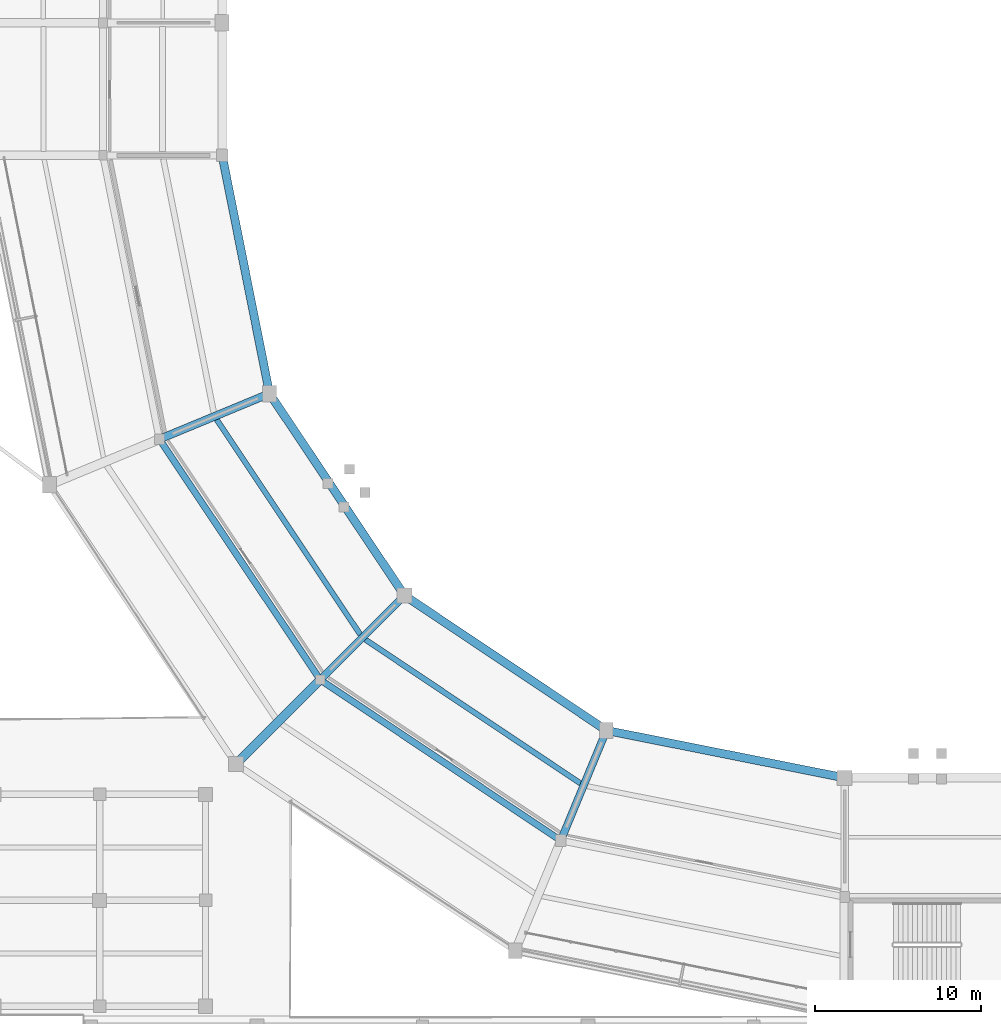
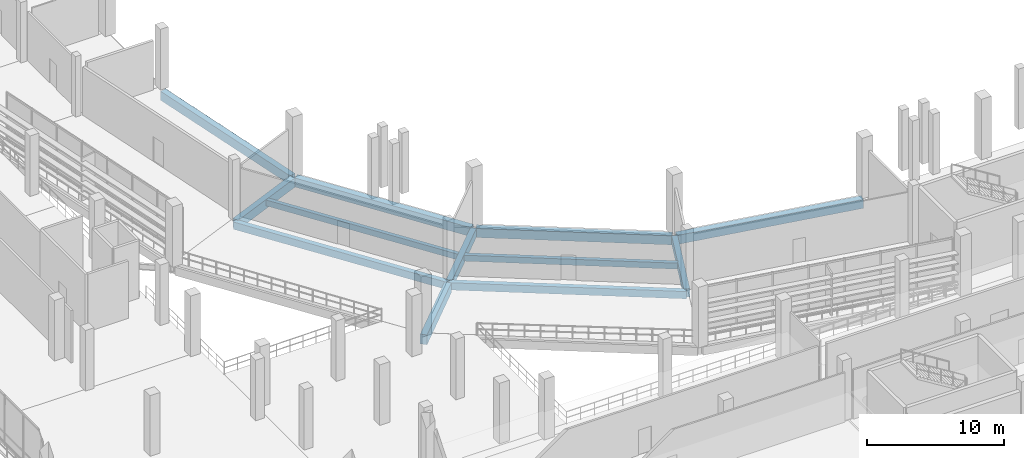
# One storey, part 20 of 114: 12 beams.
"""IFC4 building model written with IfcOpenShell, lengths in metres."""

import ifcopenshell
import ifcopenshell.guid

model = None  # the IFC model being written
_history = None  # IfcOwnerHistory: only IFC2X3 demands one
_inside = {}  # id of a spatial element -> (the spatial element, [elements in it])
_under = {}  # id of a project, library or spatial element -> (it, [spatial elements below it])
_declared = {}  # id of a project -> (the project, [libraries it declares])
_typed = {}  # id of a type object -> (the type object, [elements of that type])
_made_of = {}  # id of a material, layer set ... -> (it, [elements and type objects made of it])


def new_model(schema):
    """Start an empty IFC model of exactly this schema.

    Asked for "IFC4X3", IfcOpenShell would pick the latest addendum, in which some entities
    have other attributes; the version numbers below select the first issue.
    IFC2X3 requires an IfcOwnerHistory on every rooted entity: one is made here for all.
    """
    global model, _history
    if schema == "IFC4X3":
        model = ifcopenshell.file(schema_version=(4, 3, 0, 0))
    else:
        model = ifcopenshell.file(schema=schema)
    _inside.clear()
    _under.clear()
    _declared.clear()
    _typed.clear()
    _made_of.clear()
    _history = None
    if model.schema == "IFC2X3":
        org = make("IfcOrganization", Name="unknown")
        user = make(
            "IfcPersonAndOrganization",
            ThePerson=make("IfcPerson", FamilyName="unknown"),
            TheOrganization=org,
        )
        app = make(
            "IfcApplication",
            ApplicationDeveloper=org,
            Version="unknown",
            ApplicationFullName="unknown",
            ApplicationIdentifier="unknown",
        )
        _history = make(
            "IfcOwnerHistory",
            OwningUser=user,
            OwningApplication=app,
            ChangeAction="ADDED",
            CreationDate=0,
        )
    return model


def make(cls, **values):
    """One entity of the class cls with the attributes given. An attribute that is None is left unset."""
    return model.create_entity(
        cls, **{name: value for name, value in values.items() if value is not None}
    )


def rooted(cls, **values):
    """An entity with a GlobalId (a new one), such as an element, a storey or a relation."""
    return make(cls, GlobalId=ifcopenshell.guid.new(), OwnerHistory=_history, **values)


def si_unit(unit_type, name, prefix=None):
    """IfcSIUnit, for example si_unit("LENGTHUNIT", "METRE", prefix="MILLI")."""
    return make("IfcSIUnit", UnitType=unit_type, Prefix=prefix, Name=name)


def assignment(units):
    """IfcUnitAssignment: the units of a project."""
    return None if units is None else make("IfcUnitAssignment", Units=units)


def point(xyz):
    """IfcCartesianPoint."""
    return None if xyz is None else make("IfcCartesianPoint", Coordinates=xyz)


def direction(xyz):
    """IfcDirection."""
    return None if xyz is None else make("IfcDirection", DirectionRatios=xyz)


def frame(location, z_axis=None, x_axis=None):
    """IfcAxis2Placement3D, a coordinate frame: its origin and axes. An axis left out is left unset."""
    return make(
        "IfcAxis2Placement3D",
        Location=point(location),
        Axis=direction(z_axis),
        RefDirection=direction(x_axis),
    )


def frame_2d(location, x_axis=None):
    """IfcAxis2Placement2D, a coordinate frame in the plane: its origin and x axis."""
    return make(
        "IfcAxis2Placement2D", Location=point(location), RefDirection=direction(x_axis)
    )


def origin():
    """The frame at (0, 0, 0) with its axes left unset."""
    return frame((0.0, 0.0, 0.0))


def origin_2d():
    """The frame at (0, 0) in the plane with its x axis left unset."""
    return frame_2d((0.0, 0.0))


def place(relative_to, where):
    """IfcLocalPlacement: puts the frame where relative to a parent placement (None: the world)."""
    return make(
        "IfcLocalPlacement", PlacementRelTo=relative_to, RelativePlacement=where
    )


def context(
    kind, dimensions, precision=None, world=None, true_north=None, identifier=None
):
    """IfcGeometricRepresentationContext, for example the 3D "Model" context."""
    return make(
        "IfcGeometricRepresentationContext",
        ContextIdentifier=identifier,
        ContextType=kind,
        CoordinateSpaceDimension=dimensions,
        Precision=precision,
        WorldCoordinateSystem=world,
        TrueNorth=true_north,
    )


def subcontext(parent, identifier, kind, view, scale=None):
    """IfcGeometricRepresentationSubContext, for example "Body" below "Model"."""
    return make(
        "IfcGeometricRepresentationSubContext",
        ContextIdentifier=identifier,
        ContextType=kind,
        ParentContext=parent,
        TargetScale=scale,
        TargetView=view,
    )


def project(units=None, contexts=None):
    """IfcProject with its units and contexts."""
    return rooted(
        "IfcProject",
        Name="project",
        RepresentationContexts=contexts,
        UnitsInContext=assignment(units),
    )


def spatial(cls, under=None, at=None, **own):
    """A site, building, storey or space (cls), placed at a placement, below another one or the project."""
    s = rooted(cls, ObjectPlacement=at, **own)
    if under is not None:
        _under.setdefault(under.id(), (under, []))[1].append(s)
    return s


def profile(cls, at=None, kind="AREA", **sizes):
    """A parametric profile (cls). Its sizes go by their IFC names, for example OverallWidth=200.0."""
    return make(cls, ProfileType=kind, Position=at, **sizes)


def rectangle(**sizes):
    """IfcRectangleProfileDef."""
    return profile("IfcRectangleProfileDef", **sizes)


def extrude(swept, where, along, depth):
    """IfcExtrudedAreaSolid: the profile swept, set in the frame where, extruded along a direction by depth."""
    return make(
        "IfcExtrudedAreaSolid",
        SweptArea=swept,
        Position=where,
        ExtrudedDirection=direction(along),
        Depth=depth,
    )


def shape(context_of_items, identifier, shape_type, items):
    """IfcShapeRepresentation: the items that make up one representation, for example the "Body"."""
    return make(
        "IfcShapeRepresentation",
        ContextOfItems=context_of_items,
        RepresentationIdentifier=identifier,
        RepresentationType=shape_type,
        Items=items,
    )


def material(Name=None, Category=None):
    """IfcMaterial."""
    return make("IfcMaterial", Name=Name, Category=Category)


def material_profile(
    of_material, cross_section, Name=None, Category=None, Priority=None
):
    """IfcMaterialProfile: a cross section and its material."""
    return make(
        "IfcMaterialProfile",
        Name=Name,
        Material=of_material,
        Profile=cross_section,
        Priority=Priority,
        Category=Category,
    )


def profile_set(profiles, Name=None, composite=None):
    """IfcMaterialProfileSet."""
    return make(
        "IfcMaterialProfileSet",
        Name=Name,
        MaterialProfiles=profiles,
        CompositeProfile=composite,
    )


def made_of(thing, what):
    """Note that an element or type object is made of a material, layer set ...; save() writes the relation."""
    if what is not None:
        _made_of.setdefault(what.id(), (what, []))[1].append(thing)
    return thing


def type_object(cls, material=None, **own):
    """A type object (cls), such as IfcWallType, which elements share."""
    return made_of(rooted(cls, **own), material)


def element(
    cls,
    number,
    at=None,
    inside=None,
    cuts=None,
    type_object=None,
    material=None,
    context=None,
    identifier="Body",
    shape_type=None,
    held_by="IfcProductDefinitionShape",
    body=None,
    shapes=None,
    **own,
):
    """One element of the class cls, such as IfcWall. Its Tag is "e" and its number.

    at: its placement. inside: the storey or other place that contains it. cuts: it is an
    opening in that element (IfcRelVoidsElement). A single representation is given by context,
    identifier, shape_type and body (its items); several are given by shapes. held_by: the class
    of the entity that holds the representations. save() writes the other relations.
    """
    e = rooted(cls, Tag="e%d" % number, ObjectPlacement=at, **own)
    if body is not None:
        shapes = [shape(context, identifier, shape_type, body)]
    if shapes is not None:
        e.Representation = make(held_by, Representations=shapes)
    if inside is not None:
        _inside.setdefault(inside.id(), (inside, []))[1].append(e)
    if cuts is not None:
        rooted(
            "IfcRelVoidsElement", RelatingBuildingElement=cuts, RelatedOpeningElement=e
        )
    if type_object is not None:
        _typed.setdefault(type_object.id(), (type_object, []))[1].append(e)
    return made_of(e, material)


def aggregate(whole, parts):
    """IfcRelAggregates: a whole, such as a stair, and the parts it consists of."""
    return rooted("IfcRelAggregates", RelatingObject=whole, RelatedObjects=parts)


def save(model, path):
    """Write the relations noted so far, then the file.

    IfcRelAggregates (storeys below a building ...), IfcRelContainedInSpatialStructure (elements
    in a storey), IfcRelDefinesByType, IfcRelAssociatesMaterial and IfcRelDeclares: one each for
    every whole, place, type object, material and project.
    """
    for whole, parts in _under.values():
        aggregate(whole, parts)
    for where, things in _inside.values():
        rooted(
            "IfcRelContainedInSpatialStructure",
            RelatedElements=things,
            RelatingStructure=where,
        )
    for kind, things in _typed.values():
        rooted("IfcRelDefinesByType", RelatedObjects=things, RelatingType=kind)
    for what, things in _made_of.values():
        rooted("IfcRelAssociatesMaterial", RelatedObjects=things, RelatingMaterial=what)
    for by, libraries in _declared.values():
        rooted("IfcRelDeclares", RelatingContext=by, RelatedDefinitions=libraries)
    model.write(path)


model = new_model("IFC4")

# Units and contexts
model_context = context("Model", 3, precision=1e-05, world=origin(), true_north=direction((0.0, 1.0)))
body_context = subcontext(model_context, "Body", "Model", "MODEL_VIEW")
ifc_project = project(units=[si_unit("LENGTHUNIT", "METRE"), si_unit("AREAUNIT", "SQUARE_METRE"), si_unit("VOLUMEUNIT", "CUBIC_METRE"), si_unit("PLANEANGLEUNIT", "RADIAN"), si_unit("MASSUNIT", "GRAM", prefix="KILO")], contexts=[model_context])

# Site, building, storey
site_placement = place(None, origin())
site = spatial("IfcSite", under=ifc_project, at=site_placement, CompositionType="ELEMENT")
building_placement = place(site_placement, origin())
building = spatial("IfcBuilding", under=site, at=building_placement, Name="Candeia Ridge Stadium", CompositionType="ELEMENT")
storey_placement = place(building_placement, frame((0.0, 0.0, 5.39990234375)))
storey = spatial("IfcBuildingStorey", under=building, at=storey_placement, Name="L01", CompositionType="ELEMENT", Elevation=5.39990234375)

# Beams
ifc_material_1 = material(Name="Concrete C45/55", Category="concrete")
ifc_material_profile_1 = material_profile(ifc_material_1, rectangle(XDim=0.449951171875, YDim=0.75, at=origin_2d()), Name="RC450x750", Category="concrete")
ifc_profile_set_1 = profile_set([ifc_material_profile_1], Name="Concrete C45/55")
beam_type_1 = type_object("IfcBeamType", Name="Bowl Radial Girder RC450x750", PredefinedType="BEAM", material=ifc_profile_set_1)
beam_1_placement = place(storey_placement, frame((56.5498046875, 36.1142578125, -0.635009765625), z_axis=(-0.382681914982, -0.923880161031, 0.0), x_axis=(0.923880161031, -0.382681914982, 0.0)))
element("IfcBeam", 1, at=beam_1_placement, inside=storey, type_object=beam_type_1, Name="Bowl radial girder BM-L01-0035", PredefinedType="BEAM", context=body_context, shape_type="SweptSolid", body=[
    extrude(rectangle(XDim=0.449951171875, YDim=0.75, at=origin_2d()), origin(), (0.0, 0.0, 1.0), 6.8798828125),
])
ifc_material_2 = material(Name="Concrete C40/50", Category="concrete")
ifc_material_profile_2 = material_profile(ifc_material_2, rectangle(XDim=0.320068359375, YDim=0.52001953125, at=origin_2d()), Name="RC320x520", Category="concrete")
ifc_profile_set_2 = profile_set([ifc_material_profile_2], Name="Concrete C40/50")
beam_type_2 = type_object("IfcBeamType", Name="Floor Joist RC320x520", PredefinedType="JOIST", material=ifc_profile_set_2)
beam_2_placement = place(storey_placement, frame((33.0595703125, 55.048828125, -0.52001953125), z_axis=(0.555568527312, -0.831470752017, 0.0), x_axis=(0.831470752017, 0.555568527312, 0.0)))
element("IfcBeam", 2, at=beam_2_placement, inside=storey, type_object=beam_type_2, Name="Concourse secondary joist BM-L01-0146", PredefinedType="JOIST", context=body_context, shape_type="SweptSolid", body=[
    extrude(rectangle(XDim=0.320068359375, YDim=0.52001953125, at=origin_2d()), origin(), (0.0, 0.0, 1.0), 15.63134765625),
])
ifc_material_profile_3 = material_profile(ifc_material_2, rectangle(XDim=0.330078125, YDim=0.530029296875, at=origin_2d()), Name="RC330x530", Category="concrete")
ifc_profile_set_3 = profile_set([ifc_material_profile_3], Name="Concrete C40/50")
beam_type_3 = type_object("IfcBeamType", Name="Floor Joist RC330x530", PredefinedType="JOIST", material=ifc_profile_set_3)
beam_3_placement = place(storey_placement, frame((42.0517578125, 41.743896484375, -0.52490234375), z_axis=(0.831470752017, -0.555568527312, 0.0), x_axis=(0.555568527312, 0.831470752017, 0.0)))
element("IfcBeam", 3, at=beam_3_placement, inside=storey, type_object=beam_type_3, Name="Concourse secondary joist BM-L01-0151", PredefinedType="JOIST", context=body_context, shape_type="SweptSolid", body=[
    extrude(rectangle(XDim=0.330078125, YDim=0.530029296875, at=origin_2d()), origin(), (0.0, 0.0, 1.0), 15.63134765625),
])
ifc_material_profile_4 = material_profile(ifc_material_2, rectangle(XDim=0.4599609375, YDim=0.780029296875, at=origin_2d()), Name="RC460x780", Category="concrete")
ifc_profile_set_4 = profile_set([ifc_material_profile_4], Name="Concrete C40/50")
beam_type_4 = type_object("IfcBeamType", Name="Frame Girder RC460x780", PredefinedType="BEAM", material=ifc_profile_set_4)
beam_4_placement = place(storey_placement, frame((44.299560546875, 44.299560546875, -0.64990234375), z_axis=(-0.707106781187, -0.707106781187, 0.0), x_axis=(0.707106781187, -0.707106781187, 0.0)))
element("IfcBeam", 4, at=beam_4_placement, inside=storey, type_object=beam_type_4, Name="Bowl radial girder BM-L01-0033", PredefinedType="BEAM", context=body_context, shape_type="SweptSolid", body=[
    extrude(rectangle(XDim=0.4599609375, YDim=0.780029296875, at=origin_2d()), origin(), (0.0, 0.0, 1.0), 6.8798828125),
])
ifc_material_profile_5 = material_profile(ifc_material_1, rectangle(XDim=0.47998046875, YDim=0.820068359375, at=origin_2d()), Name="RC480x820", Category="concrete")
ifc_profile_set_5 = profile_set([ifc_material_profile_5], Name="Concrete C45/55")
beam_type_5 = type_object("IfcBeamType", Name="Frame Girder RC480x820", PredefinedType="BEAM", material=ifc_profile_set_5)
beam_5_placement = place(storey_placement, frame((36.1142578125, 56.5498046875, -0.669921875), z_axis=(-0.923880161031, -0.382681914982, 0.0), x_axis=(0.382681914982, -0.923880161031, 0.0)))
element("IfcBeam", 5, at=beam_5_placement, inside=storey, type_object=beam_type_5, Name="Bowl radial girder BM-L01-0031", PredefinedType="BEAM", context=body_context, shape_type="SweptSolid", body=[
    extrude(rectangle(XDim=0.47998046875, YDim=0.820068359375, at=origin_2d()), origin(), (0.0, 0.0, 1.0), 6.8798828125),
])
ifc_material_profile_6 = material_profile(ifc_material_2, rectangle(XDim=0.5, YDim=0.800048828125, at=origin_2d()), Name="RC500x800", Category="concrete")
ifc_profile_set_6 = profile_set([ifc_material_profile_6], Name="Concrete C40/50")
beam_type_6 = type_object("IfcBeamType", Name="Frame Girder RC500x800", PredefinedType="BEAM", material=ifc_profile_set_6)
for number, where, z_axis, x_axis, name in (
    (6, (33.43115234375, 70.843017578125, -0.659912109375), (0.195098555341, -0.980783642657, 0.0), (0.980783642657, 0.195098555341, 0.0), "Bowl inner ring girder BM-L01-0138"),
    (7, (36.35107421875, 56.47802734375, -0.659912109375), (0.55557537569, -0.831466176057, 0.0), (0.831466176057, 0.55557537569, 0.0), "Bowl inner ring girder BM-L01-0143"),
    (8, (44.5458984375, 44.323974609375, -0.659912109375), (0.831466176057, -0.55557537569, 0.0), (0.55557537569, 0.831466176057, 0.0), "Bowl inner ring girder BM-L01-0148"),
    (9, (56.76806640625, 36.23095703125, -0.659912109375), (0.980783642657, -0.195098555341, 0.0), (0.195098555341, 0.980783642657, 0.0), "Bowl inner ring girder BM-L01-0153"),
):
    element("IfcBeam", number, at=place(storey_placement, frame(where, z_axis=z_axis, x_axis=x_axis)), inside=storey, type_object=beam_type_6, Name=name, PredefinedType="BEAM", context=body_context, shape_type="SweptSolid", body=[
        extrude(rectangle(XDim=0.5, YDim=0.800048828125, at=origin_2d()), origin(), (0.0, 0.0, 1.0), 14.350830078125),
    ])
ifc_material_profile_7 = material_profile(ifc_material_1, rectangle(XDim=0.52001953125, YDim=0.8798828125, at=origin_2d()), Name="RC520x880", Category="concrete")
ifc_profile_set_7 = profile_set([ifc_material_profile_7], Name="Concrete C45/55")
beam_type_7 = type_object("IfcBeamType", Name="Frame Girder RC520x880", PredefinedType="BEAM", material=ifc_profile_set_7)
beam_6_placement = place(storey_placement, frame((39.20849609375, 39.20849609375, -0.699951171875), z_axis=(-0.707106781187, -0.707106781187, 0.0), x_axis=(0.707106781187, -0.707106781187, 0.0)))
element("IfcBeam", 10, at=beam_6_placement, inside=storey, type_object=beam_type_7, Name="Bowl radial girder BM-L01-0034", PredefinedType="BEAM", context=body_context, shape_type="SweptSolid", body=[
    extrude(rectangle(XDim=0.52001953125, YDim=0.8798828125, at=origin_2d()), origin(), (0.0, 0.0, 1.0), 6.880126953125),
])
ifc_material_profile_8 = material_profile(ifc_material_2, rectangle(XDim=0.39990234375, YDim=0.64990234375, at=origin_2d()), Name="RC400x650", Category="concrete")
ifc_profile_set_8 = profile_set([ifc_material_profile_8], Name="Concrete C40/50")
beam_type_8 = type_object("IfcBeamType", Name="Wing Primary Girder RC400x650", PredefinedType="BEAM", material=ifc_profile_set_8)
for number, where, z_axis, x_axis, name in (
    (11, (29.637939453125, 53.814208984375, -0.5849609375), (0.555578373482, -0.831464172962, 0.0), (0.831464172962, 0.555578373482, 0.0), "Concourse spine girder BM-L01-0144"),
    (12, (39.36328125, 39.2939453125, -0.5849609375), (0.831464172962, -0.555578373482, 0.0), (0.555578373482, 0.831464172962, 0.0), "Concourse spine girder BM-L01-0149"),
):
    element("IfcBeam", number, at=place(storey_placement, frame(where, z_axis=z_axis, x_axis=x_axis)), inside=storey, type_object=beam_type_8, Name=name, PredefinedType="BEAM", context=body_context, shape_type="SweptSolid", body=[
        extrude(rectangle(XDim=0.39990234375, YDim=0.64990234375, at=origin_2d()), origin(), (0.0, 0.0, 1.0), 17.380126953125),
    ])

save(model, "model.ifc")
